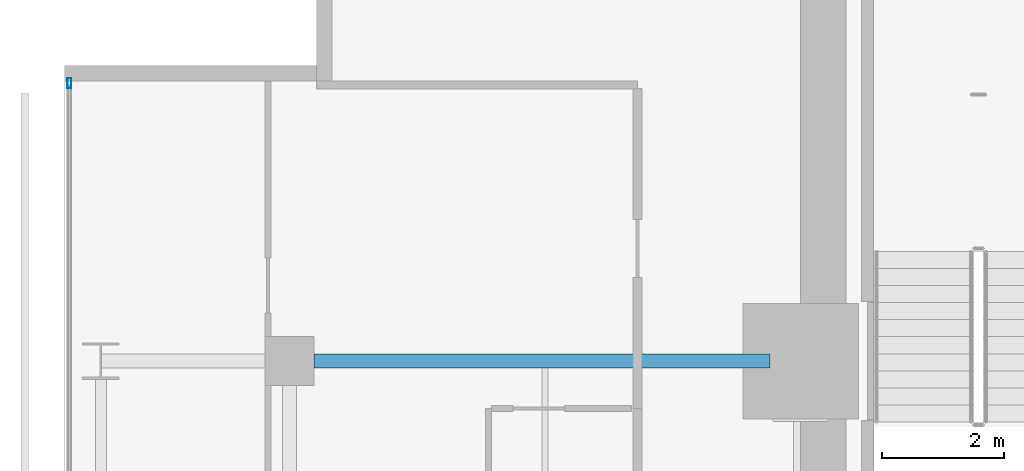
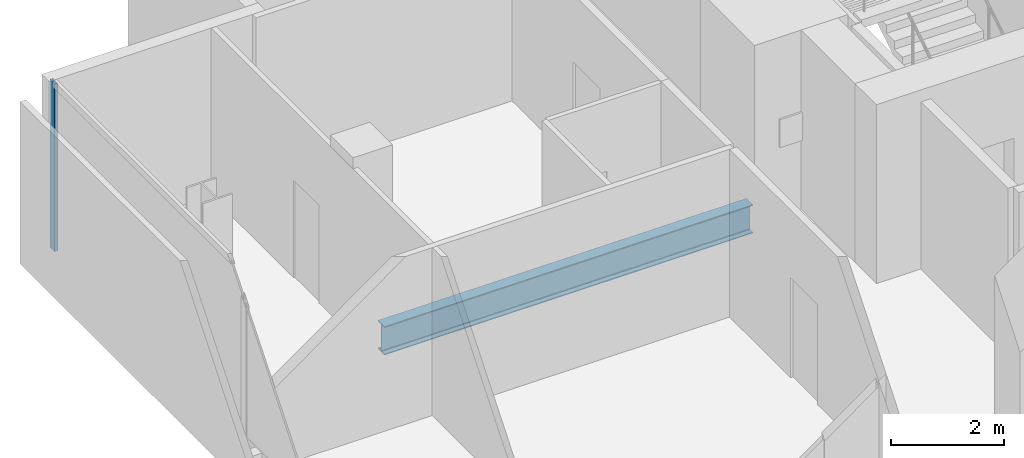
# One storey, part 20 of 34: 1 beam, 1 member, 1 element without a shape of its own.
"""IFC4 building model written with IfcOpenShell, lengths in metres."""

from ifc_helpers import new_model, si_unit, direction, frame, origin, origin_2d, place, context, subcontext, project, spatial, hollow_rectangle, i_section, extrude, material, layer, layer_set, material_profile, profile_set, type_object, element, aggregate, save


model = new_model("IFC4")

# Units and contexts
model_context = context("Model", 3, precision=1e-05, world=origin(), true_north=direction((0.0, 1.0)))
body_context = subcontext(model_context, "Body", "Model", "MODEL_VIEW")
ifc_project = project(units=[si_unit("LENGTHUNIT", "METRE"), si_unit("AREAUNIT", "SQUARE_METRE"), si_unit("VOLUMEUNIT", "CUBIC_METRE"), si_unit("PLANEANGLEUNIT", "RADIAN"), si_unit("MASSUNIT", "GRAM", prefix="KILO")], contexts=[model_context])

# Site, building, storey
site_placement = place(None, origin())
site = spatial("IfcSite", under=ifc_project, at=site_placement, CompositionType="ELEMENT")
building_placement = place(site_placement, origin())
building = spatial("IfcBuilding", under=site, at=building_placement, Name="Maruvema Waterfront Hotel and Observation Tower", CompositionType="ELEMENT")
storey_placement = place(building_placement, frame((0.0, 0.0, 146.64990234375)))
storey = spatial("IfcBuildingStorey", under=building, at=storey_placement, Name="L35", CompositionType="ELEMENT", Elevation=146.64990234375)

# Curtain wall, member
ifc_material_1 = material(Name="Anodised bronze aluminium and solar-control low-E IGU", Category="aluminium")
ifc_layer = layer(ifc_material_1, 0.159912109375, Name="Zone 2 Amber Inner Thermal Curtain Wall System CW-03")
ifc_layer_set = layer_set([ifc_layer], Name="Anodised bronze aluminium and solar-control low-E IGU")
curtain_wall_type = type_object("IfcCurtainWallType", Name="Zone 2 Amber Inner Thermal Curtain Wall System CW-03", PredefinedType="USERDEFINED", material=ifc_layer_set)
curtain_wall_placement = place(storey_placement, origin())
curtain_wall = element("IfcCurtainWall", 1, at=curtain_wall_placement, inside=storey, type_object=curtain_wall_type, Name="L35 Curtain Wall CW-L35-W", ObjectType="UNITISED CURTAIN WALL", PredefinedType="USERDEFINED")
ifc_material_2 = material(Name="Anodised architectural bronze aluminium", Category="aluminium")
ifc_material_profile_1 = material_profile(ifc_material_2, hollow_rectangle(XDim=0.06494140625, YDim=0.1650390625, WallThickness=0.00390625, at=origin_2d()), Name="ALU-M65x165")
ifc_profile_set_1 = profile_set([ifc_material_profile_1], Name="Anodised architectural bronze aluminium")
member_type = type_object("IfcMemberType", Name="Curtain Wall Primary Mullion ALU-M65x165", PredefinedType="MULLION", material=ifc_profile_set_1)
member_placement = place(storey_placement, frame((13.179931640625, 49.570068359375, 0.0), z_axis=(0.0, 0.0, 1.0), x_axis=(1.0, 0.0, 0.0)))
member = element("IfcMember", 2, at=member_placement, type_object=member_type, Name="CW-03 mullion 1", PredefinedType="MULLION", context=body_context, shape_type="SweptSolid", body=[
    extrude(hollow_rectangle(XDim=0.06494140625, YDim=0.1650390625, WallThickness=0.00390625, at=origin_2d()), origin(), (0.0, 0.0, 1.0), 3.610107421875),
])
aggregate(curtain_wall, [member])

# Beam
ifc_material_3 = material(Name="Steel ASTM A572 Grade 50", Category="steel")
ifc_material_profile_2 = material_profile(ifc_material_3, i_section(OverallWidth=0.22900390625, OverallDepth=0.612060546875, WebThickness=0.011962890625, FlangeThickness=0.01953125, FilletRadius=0.01806640625, at=origin_2d()), Name="W610x125.0")
ifc_profile_set_2 = profile_set([ifc_material_profile_2], Name="Steel ASTM A572 Grade 50")
beam_type = type_object("IfcBeamType", Name="Primary Floor Girder W610x125.0", PredefinedType="BEAM", material=ifc_profile_set_2)
beam_placement = place(storey_placement, frame((17.199951171875, 45.0, -0.5458984375), z_axis=(1.0, 0.0, 0.0), x_axis=(0.0, 1.0, 0.0)))
element("IfcBeam", 3, at=beam_placement, inside=storey, type_object=beam_type, Name="L35 Floor Girder EW-31", PredefinedType="BEAM", context=body_context, shape_type="SweptSolid", body=[
    extrude(i_section(OverallWidth=0.22900390625, OverallDepth=0.612060546875, WebThickness=0.011962890625, FlangeThickness=0.01953125, FilletRadius=0.01806640625, at=origin_2d()), origin(), (0.0, 0.0, 1.0), 7.5),
])

save(model, "model.ifc")
